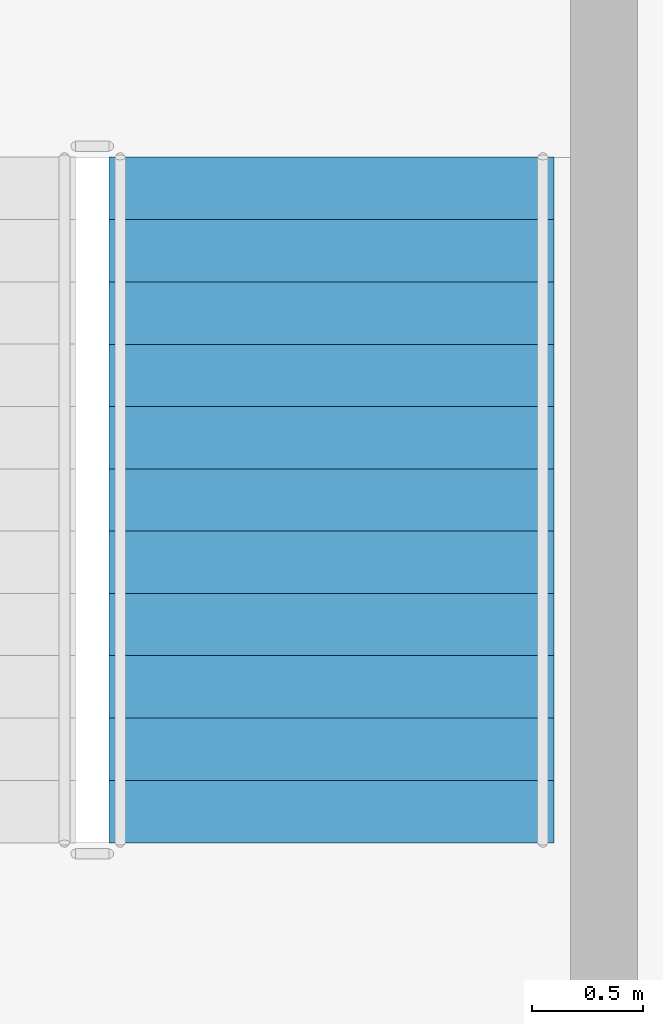
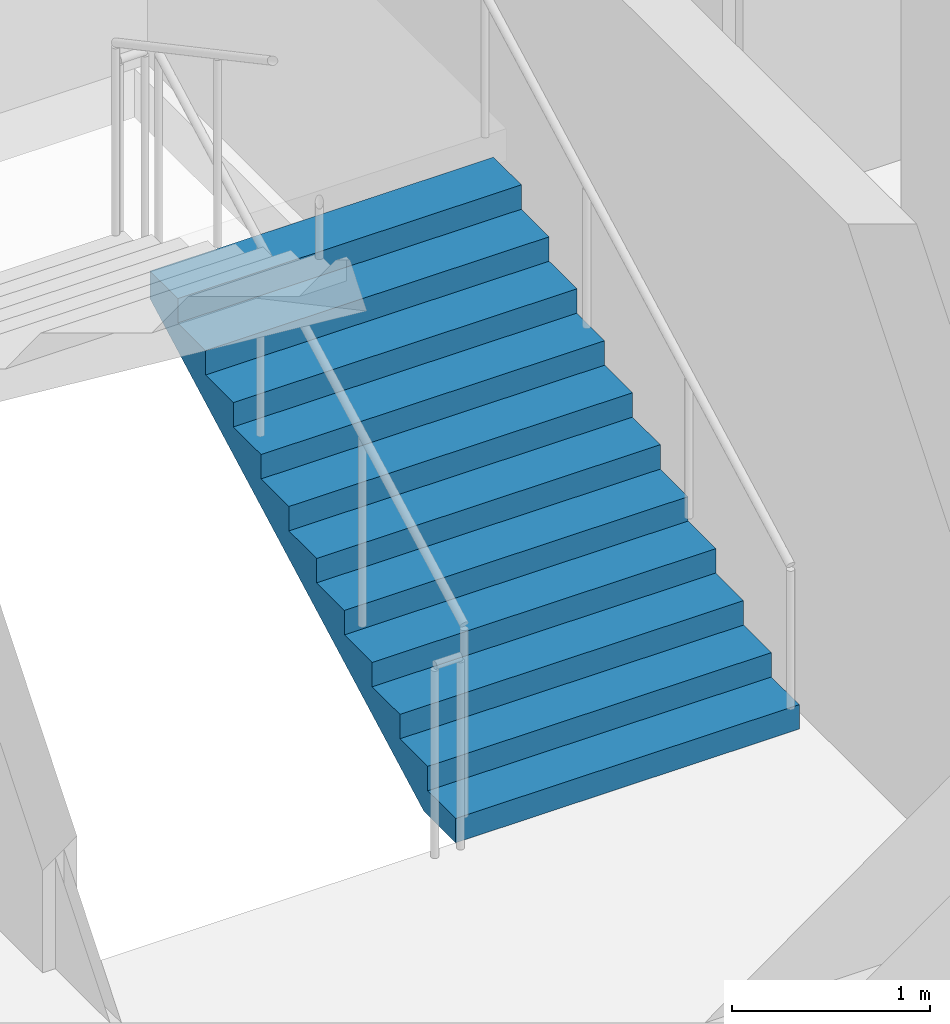
# One storey, part 13 of 26: 1 stair flight, 1 element without a shape of its own.
"""IFC4 building model written with IfcOpenShell, lengths in metres."""

from ifc_helpers import new_model, si_unit, direction, frame, origin, place, context, subcontext, project, spatial, polygons, material, type_object, element, aggregate, save


model = new_model("IFC4")

# Units and contexts
model_context = context("Model", 3, precision=1e-05, world=origin(), true_north=direction((0.0, 1.0)))
body_context = subcontext(model_context, "Body", "Model", "MODEL_VIEW")
ifc_project = project(units=[si_unit("LENGTHUNIT", "METRE"), si_unit("AREAUNIT", "SQUARE_METRE"), si_unit("VOLUMEUNIT", "CUBIC_METRE"), si_unit("PLANEANGLEUNIT", "RADIAN"), si_unit("MASSUNIT", "GRAM", prefix="KILO")], contexts=[model_context])

# Site, building, storey
site_placement = place(None, origin())
site = spatial("IfcSite", under=ifc_project, at=site_placement, CompositionType="ELEMENT")
building_placement = place(site_placement, origin())
building = spatial("IfcBuilding", under=site, at=building_placement, Name="Caravel Reach Hotel and Residences", CompositionType="ELEMENT")
storey_placement = place(building_placement, frame((0.0, 0.0, 33.60009765625)))
storey = spatial("IfcBuildingStorey", under=building, at=storey_placement, Name="L06", CompositionType="ELEMENT", Elevation=33.60009765625)

# Stair, stair flight
ifc_material_1 = material(Name="Concrete C40", Category="concrete")
stair_type = type_object("IfcStairType", Name="Core stair", PredefinedType="HALF_TURN_STAIR", material=ifc_material_1)
stair_placement = place(storey_placement, origin())
stair = element("IfcStair", 1, at=stair_placement, inside=storey, type_object=stair_type, Name="L06 Exit stair B", PredefinedType="HALF_TURN_STAIR")
ifc_material_2 = material(Name="Concrete C40", Category="concrete")
stair_flight_type = type_object("IfcStairFlightType", Name="Core stair flight", PredefinedType="STRAIGHT", material=ifc_material_2)
stair_flight_placement = place(storey_placement, frame((43.77490234375, 24.64990234375, 0.0), z_axis=(0.0, 0.0, 1.0), x_axis=(0.0, 1.0, 0.0)))
stair_flight = element("IfcStairFlight", 2, at=stair_flight_placement, type_object=stair_flight_type, Name="ST-B flight 1", NumberOfRisers=12, NumberOfTreads=11, PredefinedType="STRAIGHT", RiserHeight=0.15, TreadLength=0.28, context=body_context, shape_type="Tessellation", body=[
    polygons([(0.3174408016601862, 1.0, 0.0), (0.3174408016601862, 0.6666666666666667, 0.0), (0.3174408016601862, 0.33333333333333337, 0.0), (0.3174408016601862, 0.0, 0.0), (0.3174408016601862, -0.33333333333333326, 0.0), (0.3174408016601862, -0.6666666666666667, 0.0), (0.3174408016601862, -1.0, 0.0), (3.081, 1.0, 1.479942427682043), (3.081, 0.6666666666666667, 1.479942427682043), (3.081, 0.33333333333333337, 1.479942427682043), (3.081, 0.0, 1.479942427682043), (3.081, -0.33333333333333326, 1.479942427682043), (3.081, -0.6666666666666667, 1.479942427682043), (3.081, -1.0, 1.479942427682043), (3.081, 1.0, 1.65), (3.081, 0.6666666666666667, 1.65), (3.081, 0.33333333333333337, 1.65), (3.081, 0.0, 1.65), (3.081, -0.33333333333333326, 1.65), (3.081, -0.6666666666666667, 1.65), (3.081, -1.0, 1.65), (2.8000000000000003, 1.0, 1.65), (2.8000000000000003, 0.6666666666666667, 1.65), (2.8000000000000003, 0.33333333333333337, 1.65), (2.8000000000000003, 0.0, 1.65), (2.8000000000000003, -0.33333333333333326, 1.65), (2.8000000000000003, -0.6666666666666667, 1.65), (2.8000000000000003, -1.0, 1.65), (2.8000000000000003, 1.0, 1.5), (2.8000000000000003, 0.6666666666666667, 1.5), (2.8000000000000003, 0.33333333333333337, 1.5), (2.8000000000000003, 0.0, 1.5), (2.8000000000000003, -0.33333333333333326, 1.5), (2.8000000000000003, -0.6666666666666667, 1.5), (2.8000000000000003, -1.0, 1.5), (2.5200000000000005, 1.0, 1.5), (2.5200000000000005, 0.6666666666666667, 1.5), (2.5200000000000005, 0.33333333333333337, 1.5), (2.5200000000000005, 0.0, 1.5), (2.5200000000000005, -0.33333333333333326, 1.5), (2.5200000000000005, -0.6666666666666667, 1.5), (2.5200000000000005, -1.0, 1.5), (2.5200000000000005, 1.0, 1.3499999999999999), (2.5200000000000005, 0.6666666666666667, 1.3499999999999999), (2.5200000000000005, 0.33333333333333337, 1.3499999999999999), (2.5200000000000005, 0.0, 1.3499999999999999), (2.5200000000000005, -0.33333333333333326, 1.3499999999999999), (2.5200000000000005, -0.6666666666666667, 1.3499999999999999), (2.5200000000000005, -1.0, 1.3499999999999999), (2.24, 1.0, 1.3499999999999999), (2.24, 0.6666666666666667, 1.3499999999999999), (2.24, 0.33333333333333337, 1.3499999999999999), (2.24, 0.0, 1.3499999999999999), (2.24, -0.33333333333333326, 1.3499999999999999), (2.24, -0.6666666666666667, 1.3499999999999999), (2.24, -1.0, 1.3499999999999999), (2.24, 1.0, 1.2), (2.24, 0.6666666666666667, 1.2), (2.24, 0.33333333333333337, 1.2), (2.24, 0.0, 1.2), (2.24, -0.33333333333333326, 1.2), (2.24, -0.6666666666666667, 1.2), (2.24, -1.0, 1.2), (1.9600000000000002, 1.0, 1.2), (1.9600000000000002, 0.6666666666666667, 1.2), (1.9600000000000002, 0.33333333333333337, 1.2), (1.9600000000000002, 0.0, 1.2), (1.9600000000000002, -0.33333333333333326, 1.2), (1.9600000000000002, -0.6666666666666667, 1.2), (1.9600000000000002, -1.0, 1.2), (1.9600000000000002, 1.0, 1.05), (1.9600000000000002, 0.6666666666666667, 1.05), (1.9600000000000002, 0.33333333333333337, 1.05), (1.9600000000000002, 0.0, 1.05), (1.9600000000000002, -0.33333333333333326, 1.05), (1.9600000000000002, -0.6666666666666667, 1.05), (1.9600000000000002, -1.0, 1.05), (1.6800000000000002, 1.0, 1.05), (1.6800000000000002, 0.6666666666666667, 1.05), (1.6800000000000002, 0.33333333333333337, 1.05), (1.6800000000000002, 0.0, 1.05), (1.6800000000000002, -0.33333333333333326, 1.05), (1.6800000000000002, -0.6666666666666667, 1.05), (1.6800000000000002, -1.0, 1.05), (1.6800000000000002, 1.0, 0.8999999999999999), (1.6800000000000002, 0.6666666666666667, 0.8999999999999999), (1.6800000000000002, 0.33333333333333337, 0.8999999999999999), (1.6800000000000002, 0.0, 0.8999999999999999), (1.6800000000000002, -0.33333333333333326, 0.8999999999999999), (1.6800000000000002, -0.6666666666666667, 0.8999999999999999), (1.6800000000000002, -1.0, 0.8999999999999999), (1.4000000000000001, 1.0, 0.8999999999999999), (1.4000000000000001, 0.6666666666666667, 0.8999999999999999), (1.4000000000000001, 0.33333333333333337, 0.8999999999999999), (1.4000000000000001, 0.0, 0.8999999999999999), (1.4000000000000001, -0.33333333333333326, 0.8999999999999999), (1.4000000000000001, -0.6666666666666667, 0.8999999999999999), (1.4000000000000001, -1.0, 0.8999999999999999), (1.4000000000000001, 1.0, 0.75), (1.4000000000000001, 0.6666666666666667, 0.75), (1.4000000000000001, 0.33333333333333337, 0.75), (1.4000000000000001, 0.0, 0.75), (1.4000000000000001, -0.33333333333333326, 0.75), (1.4000000000000001, -0.6666666666666667, 0.75), (1.4000000000000001, -1.0, 0.75), (1.12, 1.0, 0.75), (1.12, 0.6666666666666667, 0.75), (1.12, 0.33333333333333337, 0.75), (1.12, 0.0, 0.75), (1.12, -0.33333333333333326, 0.75), (1.12, -0.6666666666666667, 0.75), (1.12, -1.0, 0.75), (1.12, 1.0, 0.6), (1.12, 0.6666666666666667, 0.6), (1.12, 0.33333333333333337, 0.6), (1.12, 0.0, 0.6), (1.12, -0.33333333333333326, 0.6), (1.12, -0.6666666666666667, 0.6), (1.12, -1.0, 0.6), (0.8400000000000001, 1.0, 0.6), (0.8400000000000001, 0.6666666666666667, 0.6), (0.8400000000000001, 0.33333333333333337, 0.6), (0.8400000000000001, 0.0, 0.6), (0.8400000000000001, -0.33333333333333326, 0.6), (0.8400000000000001, -0.6666666666666667, 0.6), (0.8400000000000001, -1.0, 0.6), (0.8400000000000001, 1.0, 0.44999999999999996), (0.8400000000000001, 0.6666666666666667, 0.44999999999999996), (0.8400000000000001, 0.33333333333333337, 0.44999999999999996), (0.8400000000000001, 0.0, 0.44999999999999996), (0.8400000000000001, -0.33333333333333326, 0.44999999999999996), (0.8400000000000001, -0.6666666666666667, 0.44999999999999996), (0.8400000000000001, -1.0, 0.44999999999999996), (0.56, 1.0, 0.44999999999999996), (0.56, 0.6666666666666667, 0.44999999999999996), (0.56, 0.33333333333333337, 0.44999999999999996), (0.56, 0.0, 0.44999999999999996), (0.56, -0.33333333333333326, 0.44999999999999996), (0.56, -0.6666666666666667, 0.44999999999999996), (0.56, -1.0, 0.44999999999999996), (0.56, 1.0, 0.3), (0.56, 0.6666666666666667, 0.3), (0.56, 0.33333333333333337, 0.3), (0.56, 0.0, 0.3), (0.56, -0.33333333333333326, 0.3), (0.56, -0.6666666666666667, 0.3), (0.56, -1.0, 0.3), (0.28, 1.0, 0.3), (0.28, 0.6666666666666667, 0.3), (0.28, 0.33333333333333337, 0.3), (0.28, 0.0, 0.3), (0.28, -0.33333333333333326, 0.3), (0.28, -0.6666666666666667, 0.3), (0.28, -1.0, 0.3), (0.28, 1.0, 0.15), (0.28, 0.6666666666666667, 0.15), (0.28, 0.33333333333333337, 0.15), (0.28, 0.0, 0.15), (0.28, -0.33333333333333326, 0.15), (0.28, -0.6666666666666667, 0.15), (0.28, -1.0, 0.15), (-0.001, 1.0, 0.15), (-0.001, 0.6666666666666667, 0.15), (-0.001, 0.33333333333333337, 0.15), (-0.001, 0.0, 0.15), (-0.001, -0.33333333333333326, 0.15), (-0.001, -0.6666666666666667, 0.15), (-0.001, -1.0, 0.15), (-0.001, 1.0, 0.0), (-0.001, 0.6666666666666667, 0.0), (-0.001, 0.33333333333333337, 0.0), (-0.001, 0.0, 0.0), (-0.001, -0.33333333333333326, 0.0), (-0.001, -0.6666666666666667, 0.0), (-0.001, -1.0, 0.0)], [[[169, 162, 155, 148, 141, 134, 127, 120, 113, 106, 99, 92, 85, 78, 71, 64, 57, 50, 43, 36, 29, 22, 15, 8, 1]], [[7, 14, 21, 28, 35, 42, 49, 56, 63, 70, 77, 84, 91, 98, 105, 112, 119, 126, 133, 140, 147, 154, 161, 168, 175]], [[1, 8, 9, 2]], [[2, 9, 10, 3]], [[3, 10, 11, 4]], [[4, 11, 12, 5]], [[5, 12, 13, 6]], [[6, 13, 14, 7]], [[8, 15, 16, 9]], [[9, 16, 17, 10]], [[10, 17, 18, 11]], [[11, 18, 19, 12]], [[12, 19, 20, 13]], [[13, 20, 21, 14]], [[15, 22, 23, 16]], [[16, 23, 24, 17]], [[17, 24, 25, 18]], [[18, 25, 26, 19]], [[19, 26, 27, 20]], [[20, 27, 28, 21]], [[22, 29, 30, 23]], [[23, 30, 31, 24]], [[24, 31, 32, 25]], [[25, 32, 33, 26]], [[26, 33, 34, 27]], [[27, 34, 35, 28]], [[29, 36, 37, 30]], [[30, 37, 38, 31]], [[31, 38, 39, 32]], [[32, 39, 40, 33]], [[33, 40, 41, 34]], [[34, 41, 42, 35]], [[36, 43, 44, 37]], [[37, 44, 45, 38]], [[38, 45, 46, 39]], [[39, 46, 47, 40]], [[40, 47, 48, 41]], [[41, 48, 49, 42]], [[43, 50, 51, 44]], [[44, 51, 52, 45]], [[45, 52, 53, 46]], [[46, 53, 54, 47]], [[47, 54, 55, 48]], [[48, 55, 56, 49]], [[50, 57, 58, 51]], [[51, 58, 59, 52]], [[52, 59, 60, 53]], [[53, 60, 61, 54]], [[54, 61, 62, 55]], [[55, 62, 63, 56]], [[57, 64, 65, 58]], [[58, 65, 66, 59]], [[59, 66, 67, 60]], [[60, 67, 68, 61]], [[61, 68, 69, 62]], [[62, 69, 70, 63]], [[64, 71, 72, 65]], [[65, 72, 73, 66]], [[66, 73, 74, 67]], [[67, 74, 75, 68]], [[68, 75, 76, 69]], [[69, 76, 77, 70]], [[71, 78, 79, 72]], [[72, 79, 80, 73]], [[73, 80, 81, 74]], [[74, 81, 82, 75]], [[75, 82, 83, 76]], [[76, 83, 84, 77]], [[78, 85, 86, 79]], [[79, 86, 87, 80]], [[80, 87, 88, 81]], [[81, 88, 89, 82]], [[82, 89, 90, 83]], [[83, 90, 91, 84]], [[85, 92, 93, 86]], [[86, 93, 94, 87]], [[87, 94, 95, 88]], [[88, 95, 96, 89]], [[89, 96, 97, 90]], [[90, 97, 98, 91]], [[92, 99, 100, 93]], [[93, 100, 101, 94]], [[94, 101, 102, 95]], [[95, 102, 103, 96]], [[96, 103, 104, 97]], [[97, 104, 105, 98]], [[99, 106, 107, 100]], [[100, 107, 108, 101]], [[101, 108, 109, 102]], [[102, 109, 110, 103]], [[103, 110, 111, 104]], [[104, 111, 112, 105]], [[106, 113, 114, 107]], [[107, 114, 115, 108]], [[108, 115, 116, 109]], [[109, 116, 117, 110]], [[110, 117, 118, 111]], [[111, 118, 119, 112]], [[113, 120, 121, 114]], [[114, 121, 122, 115]], [[115, 122, 123, 116]], [[116, 123, 124, 117]], [[117, 124, 125, 118]], [[118, 125, 126, 119]], [[120, 127, 128, 121]], [[121, 128, 129, 122]], [[122, 129, 130, 123]], [[123, 130, 131, 124]], [[124, 131, 132, 125]], [[125, 132, 133, 126]], [[127, 134, 135, 128]], [[128, 135, 136, 129]], [[129, 136, 137, 130]], [[130, 137, 138, 131]], [[131, 138, 139, 132]], [[132, 139, 140, 133]], [[134, 141, 142, 135]], [[135, 142, 143, 136]], [[136, 143, 144, 137]], [[137, 144, 145, 138]], [[138, 145, 146, 139]], [[139, 146, 147, 140]], [[141, 148, 149, 142]], [[142, 149, 150, 143]], [[143, 150, 151, 144]], [[144, 151, 152, 145]], [[145, 152, 153, 146]], [[146, 153, 154, 147]], [[148, 155, 156, 149]], [[149, 156, 157, 150]], [[150, 157, 158, 151]], [[151, 158, 159, 152]], [[152, 159, 160, 153]], [[153, 160, 161, 154]], [[155, 162, 163, 156]], [[156, 163, 164, 157]], [[157, 164, 165, 158]], [[158, 165, 166, 159]], [[159, 166, 167, 160]], [[160, 167, 168, 161]], [[162, 169, 170, 163]], [[163, 170, 171, 164]], [[164, 171, 172, 165]], [[165, 172, 173, 166]], [[166, 173, 174, 167]], [[167, 174, 175, 168]], [[169, 1, 2, 170]], [[170, 2, 3, 171]], [[171, 3, 4, 172]], [[172, 4, 5, 173]], [[173, 5, 6, 174]], [[174, 6, 7, 175]]], closed=True),
])
aggregate(stair, [stair_flight])

save(model, "model.ifc")
